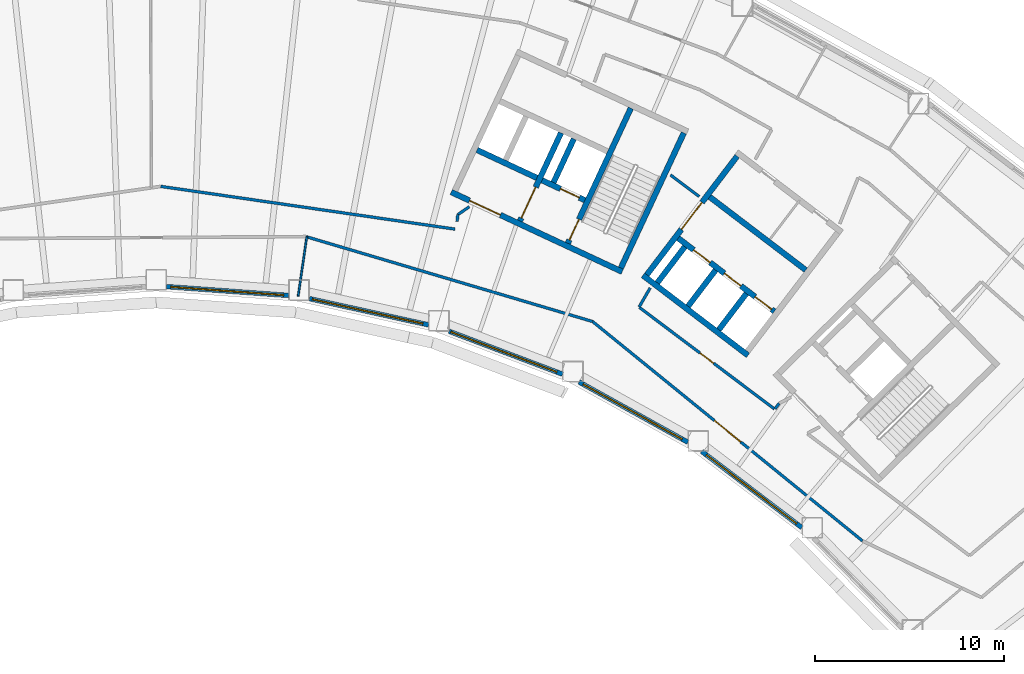
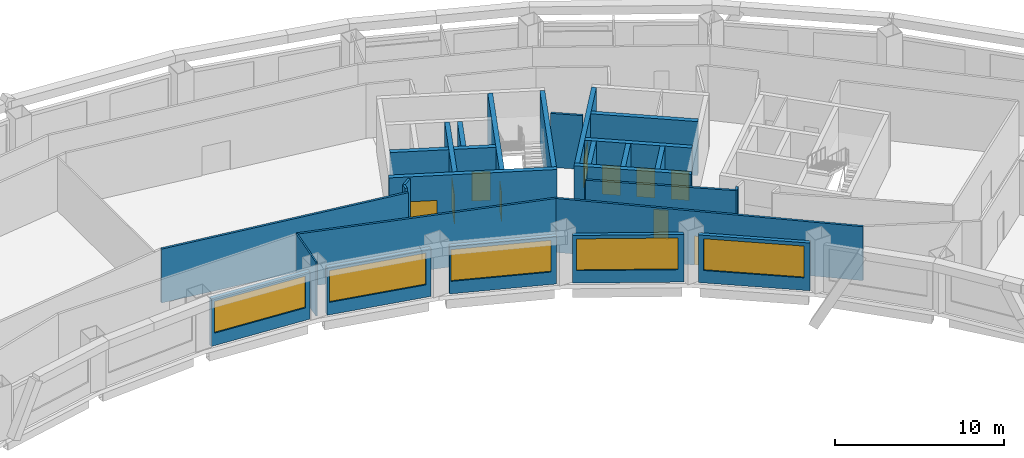
# One storey, part 6 of 12: 29 walls, 10 doors, 5 windows, 15 openings.
"""IFC4 building model written with IfcOpenShell, lengths in metres."""

from ifc_helpers import new_model, si_unit, direction, frame, frame_2d, origin, place, context, subcontext, project, spatial, rectangle, extrude, material, layer, layer_set, type_object, element, fill, save


model = new_model("IFC4")

# Units and contexts
model_context = context("Model", 3, precision=1e-05, world=origin(), true_north=direction((0.0, 1.0)))
body_context = subcontext(model_context, "Body", "Model", "MODEL_VIEW")
ifc_project = project(units=[si_unit("LENGTHUNIT", "METRE"), si_unit("AREAUNIT", "SQUARE_METRE"), si_unit("VOLUMEUNIT", "CUBIC_METRE"), si_unit("PLANEANGLEUNIT", "RADIAN"), si_unit("MASSUNIT", "GRAM", prefix="KILO")], contexts=[model_context])

# Site, building, storey
site_placement = place(None, origin())
site = spatial("IfcSite", under=ifc_project, at=site_placement, CompositionType="ELEMENT")
building_placement = place(site_placement, origin())
building = spatial("IfcBuilding", under=site, at=building_placement, Name="Tuul Gate Civic Tower", CompositionType="ELEMENT")
storey_placement = place(building_placement, frame((0.0, 0.0, 103.5)))
storey = spatial("IfcBuildingStorey", under=building, at=storey_placement, Name="Level 23", CompositionType="ELEMENT", Elevation=103.5)

# Wall, opening, door
ifc_material_1 = material(Name="Concrete C50/60", Category="concrete")
ifc_layer_1 = layer(ifc_material_1, 0.300048828125)
ifc_layer_set_1 = layer_set([ifc_layer_1], Name="Concrete C50/60")
wall_type_1 = type_object("IfcWallType", Name="Core wall C50/60", PredefinedType="SHEAR", material=ifc_layer_set_1)
wall_1_placement = place(storey_placement, frame((34.5283203125, -7.25, 0.0), z_axis=(0.0, 0.0, 1.0), x_axis=(-0.906310338845, 0.422612789327, 0.0)))
wall_1 = element("IfcWall", 1, at=wall_1_placement, inside=storey, type_object=wall_type_1, Name="Core wall", PredefinedType="SHEAR", context=body_context, shape_type="SweptSolid", body=[
    extrude(rectangle(XDim=9.999755859375, YDim=0.300048828125, at=frame_2d((5.0, 0.0))), origin(), (0.0, 0.0, 1.0), 3.89990234375),
])
opening_1_placement = place(wall_1_placement, frame((7.125, 0.0, 0.0)))
opening_1 = element("IfcOpeningElement", 2, at=opening_1_placement, cuts=wall_1, Name="Opening LB-E3-LOBBY-1", PredefinedType="OPENING", context=body_context, shape_type="SweptSolid", body=[
    extrude(rectangle(XDim=1.800048828125, YDim=2.10009765625, at=frame_2d((0.89990234375, 1.050048828125))), frame((0.0, 0.16015625, 0.0), z_axis=(0.0, -1.0, 0.0), x_axis=(1.0, 0.0, 0.0)), (0.0, 0.0, 1.0), 0.320068359375),
])
ifc_material_2 = material(Name="Steel", Category="steel")
door_type_1 = type_object("IfcDoorType", Name="Lobby door", OperationType="DOUBLE_DOOR_SINGLE_SWING", PredefinedType="DOOR", material=ifc_material_2)
door_1_placement = place(opening_1_placement, frame((1.800048828125, 0.0, 0.0), z_axis=(0.0, 0.0, 1.0), x_axis=(-1.0, 0.0, 0.0)))
door_1 = element("IfcDoor", 3, at=door_1_placement, inside=storey, type_object=door_type_1, Name="Lobby door E3-LOBBY", OperationType="DOUBLE_DOOR_SINGLE_SWING", OverallHeight=2.10009765625, OverallWidth=1.800048828125, PredefinedType="DOOR", context=body_context, shape_type="SweptSolid", body=[
    extrude(rectangle(XDim=1.800048828125, YDim=2.10009765625, at=frame_2d((0.900146484375, 1.050048828125))), frame((0.0, 0.02490234375, 0.0), z_axis=(0.0, -1.0, 0.0), x_axis=(1.0, 0.0, 0.0)), (0.0, 0.0, 1.0), 0.050048828125),
])
fill(opening_1, door_1)

wall_2_placement = place(storey_placement, frame((32.545654296875, -3.456787109375, 0.0), z_axis=(0.0, 0.0, 1.0), x_axis=(-0.906300357825, 0.42263419337, 0.0)))
wall_2 = element("IfcWall", 4, at=wall_2_placement, inside=storey, type_object=wall_type_1, Name="Core wall", PredefinedType="SHEAR", context=body_context, shape_type="SweptSolid", body=[
    extrude(rectangle(XDim=2.500244140625, YDim=0.300048828125, at=frame_2d((1.25, 0.0))), origin(), (0.0, 0.0, 1.0), 3.89990234375),
])
opening_2_placement = place(wall_2_placement, frame((0.324951171875, 0.0, 0.0)))
opening_2 = element("IfcOpeningElement", 5, at=opening_2_placement, cuts=wall_2, Name="Opening LD-FF-2", PredefinedType="OPENING", context=body_context, shape_type="SweptSolid", body=[
    extrude(rectangle(XDim=1.10009765625, YDim=2.10009765625, at=frame_2d((0.550048828125, 1.050048828125))), frame((0.0, 0.16015625, 0.0), z_axis=(0.0, -1.0, 0.0), x_axis=(1.0, 0.0, 0.0)), (0.0, 0.0, 1.0), 0.320068359375),
])
ifc_material_3 = material(Name="Stainless steel", Category="steel")
door_type_2 = type_object("IfcDoorType", Name="Landing door", OperationType="DOUBLE_DOOR_SLIDING", PredefinedType="DOOR", material=ifc_material_3)
door_2_placement = place(opening_2_placement, origin())
door_2 = element("IfcDoor", 6, at=door_2_placement, inside=storey, type_object=door_type_2, Name="Fire-fighting lift FF-2 landing door", OperationType="DOUBLE_DOOR_SLIDING", OverallHeight=2.10009765625, OverallWidth=1.10009765625, PredefinedType="DOOR", context=body_context, shape_type="SweptSolid", body=[
    extrude(rectangle(XDim=1.10009765625, YDim=2.10009765625, at=frame_2d((0.550048828125, 1.050048828125))), frame((0.0, 0.02490234375, 0.0), z_axis=(0.0, -1.0, 0.0), x_axis=(1.0, 0.0, 0.0)), (0.0, 0.0, 1.0), 0.050048828125),
])
fill(opening_2, door_2)

# Walls
wall_3_placement = place(storey_placement, frame((30.0078125, -2.2734375, 0.0), z_axis=(0.0, 0.0, 1.0), x_axis=(-0.90630071767, 0.422633421716, 0.0)))
element("IfcWall", 7, at=wall_3_placement, inside=storey, type_object=wall_type_1, Name="Core wall", PredefinedType="SHEAR", context=body_context, shape_type="SweptSolid", body=[
    extrude(rectangle(XDim=3.5, YDim=0.300048828125, at=frame_2d((1.75, 0.0))), origin(), (0.0, 0.0, 1.0), 3.89990234375),
])
wall_4_placement = place(storey_placement, frame((34.455810546875, -7.05078125, 0.0), z_axis=(0.0, 0.0, 1.0), x_axis=(0.422570768258, 0.906329932096, 0.0)))
element("IfcWall", 8, at=wall_4_placement, inside=storey, type_object=wall_type_1, Name="Core wall", PredefinedType="SHEAR", context=body_context, shape_type="SweptSolid", body=[
    extrude(rectangle(XDim=7.900146484375, YDim=0.300048828125, at=frame_2d((3.9501953125, 0.0))), origin(), (0.0, 0.0, 1.0), 3.89990234375),
])

# Wall, opening, door
wall_5_placement = place(storey_placement, frame((31.646240234375, -5.740478515625, 0.0), z_axis=(0.0, 0.0, 1.0), x_axis=(0.422582604137, 0.906324413596, 0.0)))
wall_5 = element("IfcWall", 9, at=wall_5_placement, inside=storey, type_object=wall_type_1, Name="Core wall", PredefinedType="SHEAR", context=body_context, shape_type="SweptSolid", body=[
    extrude(rectangle(XDim=7.89990234375, YDim=0.300048828125, at=frame_2d((3.949951171875, 0.0))), origin(), (0.0, 0.0, 1.0), 3.89990234375),
])
opening_3_placement = place(wall_5_placement, frame((0.199951171875, 0.0, 0.0)))
opening_3 = element("IfcOpeningElement", 10, at=opening_3_placement, cuts=wall_5, Name="Opening SD-ST-4", PredefinedType="OPENING", context=body_context, shape_type="SweptSolid", body=[
    extrude(rectangle(XDim=1.199951171875, YDim=2.10009765625, at=frame_2d((0.60009765625, 1.050048828125))), frame((0.0, 0.16015625, 0.0), z_axis=(0.0, -1.0, 0.0), x_axis=(1.0, 0.0, 0.0)), (0.0, 0.0, 1.0), 0.320068359375),
])
ifc_material_4 = material(Name="Steel", Category="steel")
door_type_3 = type_object("IfcDoorType", Name="Stair door", OperationType="NOTDEFINED", PredefinedType="DOOR", material=ifc_material_4)
door_3_placement = place(opening_3_placement, origin())
door_3 = element("IfcDoor", 11, at=door_3_placement, inside=storey, type_object=door_type_3, Name="Stair door ST-4", OperationType="SINGLE_SWING_LEFT", OverallHeight=2.10009765625, OverallWidth=1.199951171875, PredefinedType="DOOR", context=body_context, shape_type="SweptSolid", body=[
    extrude(rectangle(XDim=1.199951171875, YDim=2.10009765625, at=frame_2d((0.60009765625, 1.050048828125))), frame((0.0, 0.02490234375, 0.0), z_axis=(0.0, -1.0, 0.0), x_axis=(1.0, 0.0, 0.0)), (0.0, 0.0, 1.0), 0.050048828125),
])
fill(opening_3, door_3)

# Wall
wall_6_placement = place(storey_placement, frame((30.886962890625, -2.517822265625, 0.0), z_axis=(0.0, 0.0, 1.0), x_axis=(0.422612891016, 0.906310291427, 0.0)))
element("IfcWall", 12, at=wall_6_placement, inside=storey, type_object=wall_type_1, Name="Core wall", PredefinedType="SHEAR", context=body_context, shape_type="SweptSolid", body=[
    extrude(rectangle(XDim=2.550048828125, YDim=0.300048828125, at=frame_2d((1.27490234375, 0.0))), origin(), (0.0, 0.0, 1.0), 3.89990234375),
])

# Wall, opening, door
wall_7_placement = place(storey_placement, frame((29.108642578125, -4.557373046875, 0.0), z_axis=(0.0, 0.0, 1.0), x_axis=(0.422566235356, 0.90633204552, 0.0)))
wall_7 = element("IfcWall", 13, at=wall_7_placement, inside=storey, type_object=wall_type_1, Name="Core wall", PredefinedType="SHEAR", context=body_context, shape_type="SweptSolid", body=[
    extrude(rectangle(XDim=5.150146484375, YDim=0.300048828125, at=frame_2d((2.5751953125, 0.0))), origin(), (0.0, 0.0, 1.0), 3.89990234375),
])
opening_4_placement = place(wall_7_placement, frame((0.175048828125, 0.0, 0.0)))
opening_4 = element("IfcOpeningElement", 14, at=opening_4_placement, cuts=wall_7, Name="Opening LB-E3-FLOBBY-1", PredefinedType="OPENING", context=body_context, shape_type="SweptSolid", body=[
    extrude(rectangle(XDim=1.800048828125, YDim=2.10009765625, at=frame_2d((0.89990234375, 1.050048828125))), frame((0.0, 0.16015625, 0.0), z_axis=(0.0, -1.0, 0.0), x_axis=(1.0, 0.0, 0.0)), (0.0, 0.0, 1.0), 0.320068359375),
])
door_4_placement = place(opening_4_placement, frame((1.800048828125, 0.0, 0.0), z_axis=(0.0, 0.0, 1.0), x_axis=(-1.0, 0.0, 0.0)))
door_4 = element("IfcDoor", 15, at=door_4_placement, inside=storey, type_object=door_type_1, Name="Lobby door E3-FLOBBY", OperationType="DOUBLE_DOOR_SINGLE_SWING", OverallHeight=2.10009765625, OverallWidth=1.800048828125, PredefinedType="DOOR", context=body_context, shape_type="SweptSolid", body=[
    extrude(rectangle(XDim=1.800048828125, YDim=2.10009765625, at=frame_2d((0.900146484375, 1.050048828125))), frame((0.0, 0.02490234375, 0.0), z_axis=(0.0, -1.0, 0.0), x_axis=(1.0, 0.0, 0.0)), (0.0, 0.0, 1.0), 0.050048828125),
])
fill(opening_4, door_4)

# Wall
ifc_material_5 = material(Name="Gypsum board partition")
ifc_layer_2 = layer(ifc_material_5, 0.14990234375)
ifc_layer_set_2 = layer_set([ifc_layer_2], Name="Gypsum board partition")
wall_type_2 = type_object("IfcWallType", Name="Corridor wall P150", PredefinedType="PARTITIONING", material=ifc_layer_set_2)
wall_8_placement = place(storey_placement, frame((17.774658203125, -5.38818359375, 0.0), z_axis=(0.0, 0.0, 1.0), x_axis=(0.958822841895, -0.284004855346, 0.0)))
element("IfcWall", 16, at=wall_8_placement, inside=storey, type_object=wall_type_2, Name="p028", PredefinedType="PARTITIONING", context=body_context, shape_type="SweptSolid", body=[
    extrude(rectangle(XDim=15.833740234375, YDim=0.14990234375, at=frame_2d((7.9169921875, 0.0))), origin(), (0.0, 0.0, 1.0), 3.89990234375),
])

# Wall, opening, door
wall_9_placement = place(storey_placement, frame((32.956298828125, -9.885009765625, 0.0), z_axis=(0.0, 0.0, 1.0), x_axis=(0.775982755996, -0.630754121982, 0.0)))
wall_9 = element("IfcWall", 17, at=wall_9_placement, inside=storey, type_object=wall_type_2, Name="p029", PredefinedType="PARTITIONING", context=body_context, shape_type="SweptSolid", body=[
    extrude(rectangle(XDim=18.43798828125, YDim=0.14990234375, at=frame_2d((9.218994140625, 0.0))), origin(), (0.0, 0.0, 1.0), 3.89990234375),
])
opening_5_placement = place(wall_9_placement, frame((8.31884765625, 0.0, 0.0)))
opening_5 = element("IfcOpeningElement", 18, at=opening_5_placement, cuts=wall_9, Name="Opening G-D09", PredefinedType="OPENING", context=body_context, shape_type="SweptSolid", body=[
    extrude(rectangle(XDim=1.800048828125, YDim=2.10009765625, at=frame_2d((0.89990234375, 1.050048828125))), frame((0.0, 0.0849609375, 0.0), z_axis=(0.0, -1.0, 0.0), x_axis=(1.0, 0.0, 0.0)), (0.0, 0.0, 1.0), 0.169921875),
])
ifc_material_6 = material(Name="Timber door leaf, double", Category="wood")
door_type_4 = type_object("IfcDoorType", Name="Door D18", OperationType="DOUBLE_DOOR_SINGLE_SWING", PredefinedType="DOOR", material=ifc_material_6)
door_5_placement = place(opening_5_placement, origin())
door_5 = element("IfcDoor", 19, at=door_5_placement, inside=storey, type_object=door_type_4, Name="Door G-D09", OperationType="DOUBLE_DOOR_SINGLE_SWING", OverallHeight=2.10009765625, OverallWidth=1.800048828125, PredefinedType="DOOR", context=body_context, shape_type="SweptSolid", body=[
    extrude(rectangle(XDim=1.800048828125, YDim=2.10009765625, at=frame_2d((0.89990234375, 1.050048828125))), frame((0.0, 0.02490234375, 0.0), z_axis=(0.0, -1.0, 0.0), x_axis=(1.0, 0.0, 0.0)), (0.0, 0.0, 1.0), 0.050048828125),
])
fill(opening_5, door_5)

wall_10_placement = place(storey_placement, frame((35.4326171875, -9.13525390625, 0.0), z_axis=(0.0, 0.0, 1.0), x_axis=(0.799322648487, -0.600902074897, 0.0)))
wall_10 = element("IfcWall", 20, at=wall_10_placement, inside=storey, type_object=wall_type_2, Name="p047", PredefinedType="PARTITIONING", context=body_context, shape_type="SweptSolid", body=[
    extrude(rectangle(XDim=8.9599609375, YDim=0.14990234375, at=frame_2d((4.47998046875, 0.0))), origin(), (0.0, 0.0, 1.0), 3.89990234375),
])
opening_6_placement = place(wall_10_placement, frame((4.02978515625, 0.0, 0.0)))
opening_6 = element("IfcOpeningElement", 21, at=opening_6_placement, cuts=wall_10, Name="Opening G-D15", PredefinedType="OPENING", context=body_context, shape_type="SweptSolid", body=[
    extrude(rectangle(XDim=0.89990234375, YDim=2.10009765625, at=frame_2d((0.449951171875, 1.050048828125))), frame((0.0, 0.0849609375, 0.0), z_axis=(0.0, -1.0, 0.0), x_axis=(1.0, 0.0, 0.0)), (0.0, 0.0, 1.0), 0.169921875),
])
ifc_material_7 = material(Name="Timber door leaf", Category="wood")
door_type_5 = type_object("IfcDoorType", Name="Door D09", OperationType="NOTDEFINED", PredefinedType="DOOR", material=ifc_material_7)
door_6_placement = place(opening_6_placement, origin())
door_6 = element("IfcDoor", 22, at=door_6_placement, inside=storey, type_object=door_type_5, Name="Door G-D15", OperationType="SINGLE_SWING_RIGHT", OverallHeight=2.10009765625, OverallWidth=0.89990234375, PredefinedType="DOOR", context=body_context, shape_type="SweptSolid", body=[
    extrude(rectangle(XDim=0.89990234375, YDim=2.10009765625, at=frame_2d((0.449951171875, 1.050048828125))), frame((0.0, 0.02490234375, 0.0), z_axis=(0.0, -1.0, 0.0), x_axis=(1.0, 0.0, 0.0)), (0.0, 0.0, 1.0), 0.050048828125),
])
fill(opening_6, door_6)

# Walls
wall_11_placement = place(storey_placement, frame((42.62255859375, -14.515380859375, 0.0), z_axis=(0.0, 0.0, 1.0), x_axis=(0.604811516192, 0.796368651996, 0.0)))
element("IfcWall", 23, at=wall_11_placement, inside=storey, type_object=wall_type_2, Name="p051", PredefinedType="PARTITIONING", context=body_context, shape_type="SweptSolid", body=[
    extrude(rectangle(XDim=0.364501953125, YDim=0.14990234375, at=frame_2d((0.18212890625, 0.0))), origin(), (0.0, 0.0, 1.0), 3.89990234375),
])
wall_12_placement = place(storey_placement, frame((35.427490234375, -9.109375, 0.0), z_axis=(0.0, 0.0, 1.0), x_axis=(0.500944847429, 0.865479208205, 0.0)))
element("IfcWall", 24, at=wall_12_placement, inside=storey, type_object=wall_type_2, Name="p052", PredefinedType="PARTITIONING", context=body_context, shape_type="SweptSolid", body=[
    extrude(rectangle(XDim=1.157958984375, YDim=0.14990234375, at=frame_2d((0.5791015625, 0.0))), origin(), (0.0, 0.0, 1.0), 3.89990234375),
])
wall_13_placement = place(storey_placement, frame((37.087158203125, -2.1181640625, 0.0), z_axis=(0.0, 0.0, 1.0), x_axis=(0.798984435846, -0.601351703478, 0.0)))
element("IfcWall", 25, at=wall_13_placement, inside=storey, type_object=wall_type_2, Name="p057", PredefinedType="PARTITIONING", context=body_context, shape_type="SweptSolid", body=[
    extrude(rectangle(XDim=1.906005859375, YDim=0.14990234375, at=frame_2d((0.953125, 0.0))), origin(), (0.0, 0.0, 1.0), 3.89990234375),
])
wall_14_placement = place(storey_placement, frame((25.815673828125, -4.220703125, 0.0), z_axis=(0.0, 0.0, 1.0), x_axis=(0.823771765615, 0.566921580269, 0.0)))
element("IfcWall", 26, at=wall_14_placement, inside=storey, type_object=wall_type_2, Name="p066", PredefinedType="PARTITIONING", context=body_context, shape_type="SweptSolid", body=[
    extrude(rectangle(XDim=0.738525390625, YDim=0.14990234375, at=frame_2d((0.369140625, 0.0))), origin(), (0.0, 0.0, 1.0), 3.89990234375),
])
wall_15_placement = place(storey_placement, frame((25.77783203125, -4.591064453125, 0.0), z_axis=(0.0, 0.0, 1.0), x_axis=(0.101646140931, 0.994820618018, 0.0)))
element("IfcWall", 27, at=wall_15_placement, inside=storey, type_object=wall_type_2, Name="p067", PredefinedType="PARTITIONING", context=body_context, shape_type="SweptSolid", body=[
    extrude(rectangle(XDim=0.372314453125, YDim=0.14990234375, at=frame_2d((0.18603515625, 0.0))), origin(), (0.0, 0.0, 1.0), 3.89990234375),
])
wall_16_placement = place(storey_placement, frame((10.072998046875, -2.72412109375, 0.0), z_axis=(0.0, 0.0, 1.0), x_axis=(0.989619242557, -0.14371414252, 0.0)))
element("IfcWall", 28, at=wall_16_placement, inside=storey, type_object=wall_type_2, Name="p068", PredefinedType="PARTITIONING", context=body_context, shape_type="SweptSolid", body=[
    extrude(rectangle(XDim=15.754638671875, YDim=0.14990234375, at=frame_2d((7.87744140625, 0.0))), origin(), (0.0, 0.0, 1.0), 3.89990234375),
])

# Wall, opening, window
ifc_material_8 = material(Name="Precast concrete C40/50", Category="concrete")
ifc_layer_3 = layer(ifc_material_8, 0.25)
ifc_layer_set_3 = layer_set([ifc_layer_3], Name="Precast concrete C40/50")
wall_type_3 = type_object("IfcWallType", Name="External wall", PredefinedType="STANDARD", material=ifc_layer_set_3)
wall_17_placement = place(storey_placement, frame((10.37890625, -8.035400390625, 0.0), z_axis=(0.0, 0.0, 1.0), x_axis=(0.997392965156, -0.072161437464, 0.0)))
wall_17 = element("IfcWall", 29, at=wall_17_placement, inside=storey, type_object=wall_type_3, Name="External wall", PredefinedType="STANDARD", context=body_context, shape_type="SweptSolid", body=[
    extrude(rectangle(XDim=6.489013671875, YDim=0.25, at=frame_2d((3.24462890625, 0.0))), origin(), (0.0, 0.0, 1.0), 3.449951171875),
])
opening_7_placement = place(wall_17_placement, frame((0.220947265625, 0.0, 0.89990234375)))
opening_7 = element("IfcOpeningElement", 30, at=opening_7_placement, cuts=wall_17, Name="Opening W26", PredefinedType="OPENING", context=body_context, shape_type="SweptSolid", body=[
    extrude(rectangle(XDim=6.0, YDim=2.300048828125, at=frame_2d((3.0, 1.14990234375))), frame((0.0, 0.135009765625, 0.0), z_axis=(0.0, -1.0, 0.0), x_axis=(1.0, 0.0, 0.0)), (0.0, 0.0, 1.0), 0.27001953125),
])
ifc_material_9 = material(Name="Glass", Category="glass")
window_type = type_object("IfcWindowType", Name="Window W26 6000 x 2300", PartitioningType="SINGLE_PANEL", PredefinedType="WINDOW", material=ifc_material_9)
window_1_placement = place(opening_7_placement, origin())
window_1 = element("IfcWindow", 31, at=window_1_placement, inside=storey, type_object=window_type, Name="Window", OverallHeight=2.300048828125, OverallWidth=6.0, PartitioningType="SINGLE_PANEL", PredefinedType="WINDOW", context=body_context, shape_type="SweptSolid", body=[
    extrude(rectangle(XDim=6.0, YDim=2.300048828125, at=frame_2d((3.0, 1.14990234375))), frame((0.0, 0.030029296875, 0.0), z_axis=(0.0, -1.0, 0.0), x_axis=(1.0, 0.0, 0.0)), (0.0, 0.0, 1.0), 0.06005859375),
])
fill(opening_7, window_1)

wall_18_placement = place(storey_placement, frame((17.950927734375, -8.671630859375, 0.0), z_axis=(0.0, 0.0, 1.0), x_axis=(0.976562304854, -0.215234905949, 0.0)))
wall_18 = element("IfcWall", 32, at=wall_18_placement, inside=storey, type_object=wall_type_3, Name="External wall", PredefinedType="STANDARD", context=body_context, shape_type="SweptSolid", body=[
    extrude(rectangle(XDim=6.465576171875, YDim=0.25, at=frame_2d((3.23291015625, 0.0))), origin(), (0.0, 0.0, 1.0), 3.449951171875),
])
opening_8_placement = place(wall_18_placement, frame((0.160888671875, 0.0, 0.89990234375)))
opening_8 = element("IfcOpeningElement", 33, at=opening_8_placement, cuts=wall_18, Name="Opening W26", PredefinedType="OPENING", context=body_context, shape_type="SweptSolid", body=[
    extrude(rectangle(XDim=6.0, YDim=2.300048828125, at=frame_2d((3.0, 1.14990234375))), frame((0.0, 0.135009765625, 0.0), z_axis=(0.0, -1.0, 0.0), x_axis=(1.0, 0.0, 0.0)), (0.0, 0.0, 1.0), 0.27001953125),
])
window_2_placement = place(opening_8_placement, origin())
window_2 = element("IfcWindow", 34, at=window_2_placement, inside=storey, type_object=window_type, Name="Window", OverallHeight=2.300048828125, OverallWidth=6.0, PartitioningType="SINGLE_PANEL", PredefinedType="WINDOW", context=body_context, shape_type="SweptSolid", body=[
    extrude(rectangle(XDim=6.0, YDim=2.300048828125, at=frame_2d((3.0, 1.14990234375))), frame((0.0, 0.030029296875, 0.0), z_axis=(0.0, -1.0, 0.0), x_axis=(1.0, 0.0, 0.0)), (0.0, 0.0, 1.0), 0.06005859375),
])
fill(opening_8, window_2)

wall_19_placement = place(storey_placement, frame((25.3515625, -10.402099609375, 0.0), z_axis=(0.0, 0.0, 1.0), x_axis=(0.93537217804, -0.353664938252, 0.0)))
wall_19 = element("IfcWall", 35, at=wall_19_placement, inside=storey, type_object=wall_type_3, Name="External wall", PredefinedType="STANDARD", context=body_context, shape_type="SweptSolid", body=[
    extrude(rectangle(XDim=6.428955078125, YDim=0.25, at=frame_2d((3.21435546875, 0.0))), origin(), (0.0, 0.0, 1.0), 3.449951171875),
])
opening_9_placement = place(wall_19_placement, frame((0.09912109375, 0.0, 0.89990234375)))
opening_9 = element("IfcOpeningElement", 36, at=opening_9_placement, cuts=wall_19, Name="Opening W26", PredefinedType="OPENING", context=body_context, shape_type="SweptSolid", body=[
    extrude(rectangle(XDim=6.0, YDim=2.300048828125, at=frame_2d((3.0, 1.14990234375))), frame((0.0, 0.135009765625, 0.0), z_axis=(0.0, -1.0, 0.0), x_axis=(1.0, 0.0, 0.0)), (0.0, 0.0, 1.0), 0.27001953125),
])
window_3_placement = place(opening_9_placement, origin())
window_3 = element("IfcWindow", 37, at=window_3_placement, inside=storey, type_object=window_type, Name="Window", OverallHeight=2.300048828125, OverallWidth=6.0, PartitioningType="SINGLE_PANEL", PredefinedType="WINDOW", context=body_context, shape_type="SweptSolid", body=[
    extrude(rectangle(XDim=6.0, YDim=2.300048828125, at=frame_2d((3.0, 1.14990234375))), frame((0.0, 0.030029296875, 0.0), z_axis=(0.0, -1.0, 0.0), x_axis=(1.0, 0.0, 0.0)), (0.0, 0.0, 1.0), 0.06005859375),
])
fill(opening_9, window_3)

wall_20_placement = place(storey_placement, frame((32.23828125, -13.0869140625, 0.0), z_axis=(0.0, 0.0, 1.0), x_axis=(0.87460054833, -0.484844182042, 0.0)))
wall_20 = element("IfcWall", 38, at=wall_20_placement, inside=storey, type_object=wall_type_3, Name="External wall", PredefinedType="STANDARD", context=body_context, shape_type="SweptSolid", body=[
    extrude(rectangle(XDim=6.593505859375, YDim=0.25, at=frame_2d((3.296875, 0.0))), origin(), (0.0, 0.0, 1.0), 3.449951171875),
])
opening_10_placement = place(wall_20_placement, frame((0.2470703125, 0.0, 0.89990234375)))
opening_10 = element("IfcOpeningElement", 39, at=opening_10_placement, cuts=wall_20, Name="Opening W26", PredefinedType="OPENING", context=body_context, shape_type="SweptSolid", body=[
    extrude(rectangle(XDim=6.0, YDim=2.300048828125, at=frame_2d((3.0, 1.14990234375))), frame((0.0, 0.135009765625, 0.0), z_axis=(0.0, -1.0, 0.0), x_axis=(1.0, 0.0, 0.0)), (0.0, 0.0, 1.0), 0.27001953125),
])
window_4_placement = place(opening_10_placement, origin())
window_4 = element("IfcWindow", 40, at=window_4_placement, inside=storey, type_object=window_type, Name="Window", OverallHeight=2.300048828125, OverallWidth=6.0, PartitioningType="SINGLE_PANEL", PredefinedType="WINDOW", context=body_context, shape_type="SweptSolid", body=[
    extrude(rectangle(XDim=6.0, YDim=2.300048828125, at=frame_2d((3.0, 1.14990234375))), frame((0.0, 0.030029296875, 0.0), z_axis=(0.0, -1.0, 0.0), x_axis=(1.0, 0.0, 0.0)), (0.0, 0.0, 1.0), 0.06005859375),
])
fill(opening_10, window_4)

wall_21_placement = place(storey_placement, frame((38.74267578125, -16.76806640625, 0.0), z_axis=(0.0, 0.0, 1.0), x_axis=(0.795574625886, -0.605855605442, 0.0)))
wall_21 = element("IfcWall", 41, at=wall_21_placement, inside=storey, type_object=wall_type_3, Name="External wall", PredefinedType="STANDARD", context=body_context, shape_type="SweptSolid", body=[
    extrude(rectangle(XDim=6.666015625, YDim=0.25, at=frame_2d((3.3330078125, 0.0))), origin(), (0.0, 0.0, 1.0), 3.449951171875),
])
opening_11_placement = place(wall_21_placement, frame((0.313232421875, 0.0, 0.89990234375)))
opening_11 = element("IfcOpeningElement", 42, at=opening_11_placement, cuts=wall_21, Name="Opening W26", PredefinedType="OPENING", context=body_context, shape_type="SweptSolid", body=[
    extrude(rectangle(XDim=6.0, YDim=2.300048828125, at=frame_2d((3.0, 1.14990234375))), frame((0.0, 0.135009765625, 0.0), z_axis=(0.0, -1.0, 0.0), x_axis=(1.0, 0.0, 0.0)), (0.0, 0.0, 1.0), 0.27001953125),
])
window_5_placement = place(opening_11_placement, origin())
window_5 = element("IfcWindow", 43, at=window_5_placement, inside=storey, type_object=window_type, Name="Window", OverallHeight=2.300048828125, OverallWidth=6.0, PartitioningType="SINGLE_PANEL", PredefinedType="WINDOW", context=body_context, shape_type="SweptSolid", body=[
    extrude(rectangle(XDim=6.0, YDim=2.300048828125, at=frame_2d((3.0, 1.14990234375))), frame((0.0, 0.030029296875, 0.0), z_axis=(0.0, -1.0, 0.0), x_axis=(1.0, 0.0, 0.0)), (0.0, 0.0, 1.0), 0.06005859375),
])
fill(opening_11, window_5)

# Wall
ifc_material_10 = material(Name="Concrete C40/50", Category="concrete")
ifc_layer_4 = layer(ifc_material_10, 0.300048828125)
ifc_layer_set_4 = layer_set([ifc_layer_4], Name="Concrete C40/50")
wall_type_4 = type_object("IfcWallType", Name="Lift shaft wall C40/50", PredefinedType="STANDARD", material=ifc_layer_set_4)
wall_22_placement = place(storey_placement, frame((41.19189453125, -11.677734375, 0.0), z_axis=(0.0, 0.0, 1.0), x_axis=(-0.795563000331, 0.605870871147, 0.0)))
element("IfcWall", 44, at=wall_22_placement, inside=storey, type_object=wall_type_4, Name="Shaft wall", PredefinedType="STANDARD", context=body_context, shape_type="SweptSolid", body=[
    extrude(rectangle(XDim=7.000244140625, YDim=0.300048828125, at=frame_2d((3.5, 0.0))), origin(), (0.0, 0.0, 1.0), 3.89990234375),
])

# Wall, openings, doors
wall_23_placement = place(storey_placement, frame((42.5888671875, -9.34765625, 0.0), z_axis=(0.0, 0.0, 1.0), x_axis=(-0.795584062101, 0.605843214149, 0.0)))
wall_23 = element("IfcWall", 45, at=wall_23_placement, inside=storey, type_object=wall_type_4, Name="Shaft wall", PredefinedType="STANDARD", context=body_context, shape_type="SweptSolid", body=[
    extrude(rectangle(XDim=6.400146484375, YDim=0.300048828125, at=frame_2d((3.2001953125, 0.0))), origin(), (0.0, 0.0, 1.0), 3.89990234375),
])
opening_12_placement = place(wall_23_placement, frame((0.175048828125, 0.0, 0.0)))
opening_12 = element("IfcOpeningElement", 46, at=opening_12_placement, cuts=wall_23, Name="Opening LD-L1", PredefinedType="OPENING", context=body_context, shape_type="SweptSolid", body=[
    extrude(rectangle(XDim=1.10009765625, YDim=2.10009765625, at=frame_2d((0.550048828125, 1.050048828125))), frame((0.0, 0.16015625, 0.0), z_axis=(0.0, -1.0, 0.0), x_axis=(1.0, 0.0, 0.0)), (0.0, 0.0, 1.0), 0.320068359375),
])
opening_13_placement = place(wall_23_placement, frame((2.22509765625, 0.0, 0.0)))
opening_13 = element("IfcOpeningElement", 47, at=opening_13_placement, cuts=wall_23, Name="Opening LD-L2", PredefinedType="OPENING", context=body_context, shape_type="SweptSolid", body=[
    extrude(rectangle(XDim=1.10009765625, YDim=2.10009765625, at=frame_2d((0.550048828125, 1.050048828125))), frame((0.0, 0.16015625, 0.0), z_axis=(0.0, -1.0, 0.0), x_axis=(1.0, 0.0, 0.0)), (0.0, 0.0, 1.0), 0.320068359375),
])
opening_14_placement = place(wall_23_placement, frame((4.27490234375, 0.0, 0.0)))
opening_14 = element("IfcOpeningElement", 48, at=opening_14_placement, cuts=wall_23, Name="Opening LD-L3", PredefinedType="OPENING", context=body_context, shape_type="SweptSolid", body=[
    extrude(rectangle(XDim=1.10009765625, YDim=2.10009765625, at=frame_2d((0.550048828125, 1.050048828125))), frame((0.0, 0.16015625, 0.0), z_axis=(0.0, -1.0, 0.0), x_axis=(1.0, 0.0, 0.0)), (0.0, 0.0, 1.0), 0.320068359375),
])
door_7_placement = place(opening_12_placement, origin())
door_7 = element("IfcDoor", 49, at=door_7_placement, inside=storey, type_object=door_type_2, Name="Low-rise lift L1 landing door", OperationType="DOUBLE_DOOR_SLIDING", OverallHeight=2.10009765625, OverallWidth=1.10009765625, PredefinedType="DOOR", context=body_context, shape_type="SweptSolid", body=[
    extrude(rectangle(XDim=1.10009765625, YDim=2.10009765625, at=frame_2d((0.550048828125, 1.050048828125))), frame((0.0, 0.02490234375, 0.0), z_axis=(0.0, -1.0, 0.0), x_axis=(1.0, 0.0, 0.0)), (0.0, 0.0, 1.0), 0.050048828125),
])
fill(opening_12, door_7)
door_8_placement = place(opening_13_placement, origin())
door_8 = element("IfcDoor", 50, at=door_8_placement, inside=storey, type_object=door_type_2, Name="Low-rise lift L2 landing door", OperationType="DOUBLE_DOOR_SLIDING", OverallHeight=2.10009765625, OverallWidth=1.10009765625, PredefinedType="DOOR", context=body_context, shape_type="SweptSolid", body=[
    extrude(rectangle(XDim=1.10009765625, YDim=2.10009765625, at=frame_2d((0.550048828125, 1.050048828125))), frame((0.0, 0.02490234375, 0.0), z_axis=(0.0, -1.0, 0.0), x_axis=(1.0, 0.0, 0.0)), (0.0, 0.0, 1.0), 0.050048828125),
])
fill(opening_13, door_8)
door_9_placement = place(opening_14_placement, origin())
door_9 = element("IfcDoor", 51, at=door_9_placement, inside=storey, type_object=door_type_2, Name="Low-rise lift L3 landing door", OperationType="DOUBLE_DOOR_SLIDING", OverallHeight=2.10009765625, OverallWidth=1.10009765625, PredefinedType="DOOR", context=body_context, shape_type="SweptSolid", body=[
    extrude(rectangle(XDim=1.10009765625, YDim=2.10009765625, at=frame_2d((0.550048828125, 1.050048828125))), frame((0.0, 0.02490234375, 0.0), z_axis=(0.0, -1.0, 0.0), x_axis=(1.0, 0.0, 0.0)), (0.0, 0.0, 1.0), 0.050048828125),
])
fill(opening_14, door_9)

# Walls
wall_24_placement = place(storey_placement, frame((44.254638671875, -7.15966796875, 0.0), z_axis=(0.0, 0.0, 1.0), x_axis=(-0.795565675562, 0.605867358312, 0.0)))
element("IfcWall", 52, at=wall_24_placement, inside=storey, type_object=wall_type_4, Name="Shaft wall", PredefinedType="STANDARD", context=body_context, shape_type="SweptSolid", body=[
    extrude(rectangle(XDim=6.400146484375, YDim=0.300048828125, at=frame_2d((3.2001953125, 0.0))), origin(), (0.0, 0.0, 1.0), 3.89990234375),
])
wall_25_placement = place(storey_placement, frame((39.65185546875, -10.31640625, 0.0), z_axis=(0.0, 0.0, 1.0), x_axis=(0.605745892068, 0.79565816419, 0.0)))
element("IfcWall", 53, at=wall_25_placement, inside=storey, type_object=wall_type_4, Name="Shaft wall", PredefinedType="STANDARD", context=body_context, shape_type="SweptSolid", body=[
    extrude(rectangle(XDim=2.400146484375, YDim=0.300048828125, at=frame_2d((1.2001953125, 0.0))), origin(), (0.0, 0.0, 1.0), 3.89990234375),
])
wall_26_placement = place(storey_placement, frame((38.02099609375, -9.07421875, 0.0), z_axis=(0.0, 0.0, 1.0), x_axis=(0.605730519254, 0.795669867498, 0.0)))
element("IfcWall", 54, at=wall_26_placement, inside=storey, type_object=wall_type_4, Name="Shaft wall", PredefinedType="STANDARD", context=body_context, shape_type="SweptSolid", body=[
    extrude(rectangle(XDim=2.399658203125, YDim=0.300048828125, at=frame_2d((1.19970703125, 0.0))), origin(), (0.0, 0.0, 1.0), 3.89990234375),
])
wall_27_placement = place(storey_placement, frame((36.389892578125, -7.832275390625, 0.0), z_axis=(0.0, 0.0, 1.0), x_axis=(0.605745892068, 0.79565816419, 0.0)))
element("IfcWall", 55, at=wall_27_placement, inside=storey, type_object=wall_type_4, Name="Shaft wall", PredefinedType="STANDARD", context=body_context, shape_type="SweptSolid", body=[
    extrude(rectangle(XDim=2.400146484375, YDim=0.300048828125, at=frame_2d((1.2001953125, 0.0))), origin(), (0.0, 0.0, 1.0), 3.89990234375),
])

# Wall, opening, door
wall_28_placement = place(storey_placement, frame((35.8330078125, -7.408203125, 0.0), z_axis=(0.0, 0.0, 1.0), x_axis=(0.605769437763, 0.795640237967, 0.0)))
wall_28 = element("IfcWall", 56, at=wall_28_placement, inside=storey, type_object=wall_type_4, Name="Shaft wall", PredefinedType="STANDARD", context=body_context, shape_type="SweptSolid", body=[
    extrude(rectangle(XDim=7.900146484375, YDim=0.300048828125, at=frame_2d((3.9501953125, 0.0))), origin(), (0.0, 0.0, 1.0), 3.89990234375),
])
opening_15_placement = place(wall_28_placement, frame((3.02490234375, 0.0, 0.0)))
opening_15 = element("IfcOpeningElement", 57, at=opening_15_placement, cuts=wall_28, Name="Opening LB-E2-LOBBY-1", PredefinedType="OPENING", context=body_context, shape_type="SweptSolid", body=[
    extrude(rectangle(XDim=1.800048828125, YDim=2.10009765625, at=frame_2d((0.89990234375, 1.050048828125))), frame((0.0, 0.16015625, 0.0), z_axis=(0.0, -1.0, 0.0), x_axis=(1.0, 0.0, 0.0)), (0.0, 0.0, 1.0), 0.320068359375),
])
door_10_placement = place(opening_15_placement, origin())
door_10 = element("IfcDoor", 58, at=door_10_placement, inside=storey, type_object=door_type_1, Name="Lobby door E2-LOBBY", OperationType="DOUBLE_DOOR_SINGLE_SWING", OverallHeight=2.10009765625, OverallWidth=1.800048828125, PredefinedType="DOOR", context=body_context, shape_type="SweptSolid", body=[
    extrude(rectangle(XDim=1.800048828125, YDim=2.10009765625, at=frame_2d((0.89990234375, 1.050048828125))), frame((0.0, 0.02490234375, 0.0), z_axis=(0.0, -1.0, 0.0), x_axis=(1.0, 0.0, 0.0)), (0.0, 0.0, 1.0), 0.050048828125),
])
fill(opening_15, door_10)

# Wall
ifc_material_11 = material(Name="Gypsum board partition")
ifc_layer_5 = layer(ifc_material_11, 0.10009765625)
ifc_layer_set_5 = layer_set([ifc_layer_5], Name="Gypsum board partition")
wall_type_5 = type_object("IfcWallType", Name="Partition P100", PredefinedType="PARTITIONING", material=ifc_layer_set_5)
wall_29_placement = place(storey_placement, frame((17.35302734375, -8.544921875, 0.0), z_axis=(0.0, 0.0, 1.0), x_axis=(0.144140837574, 0.989557183261, 0.0)))
element("IfcWall", 59, at=wall_29_placement, inside=storey, type_object=wall_type_5, Name="p027", PredefinedType="PARTITIONING", context=body_context, shape_type="SweptSolid", body=[
    extrude(rectangle(XDim=3.17919921875, YDim=0.10009765625, at=frame_2d((1.589599609375, 0.0))), origin(), (0.0, 0.0, 1.0), 3.89990234375),
])

save(model, "model.ifc")
